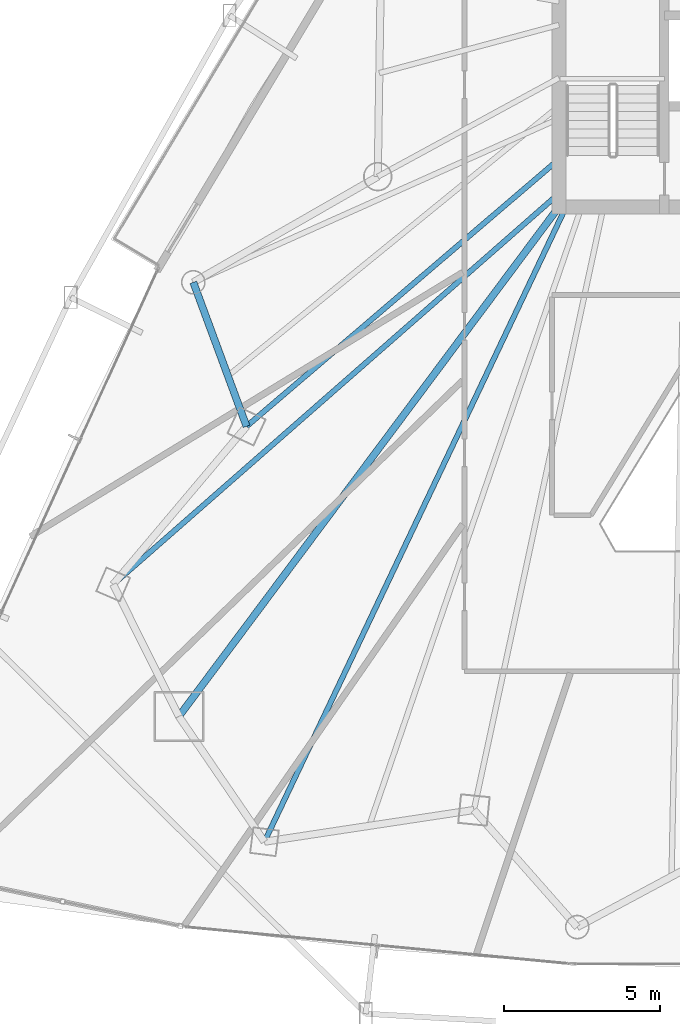
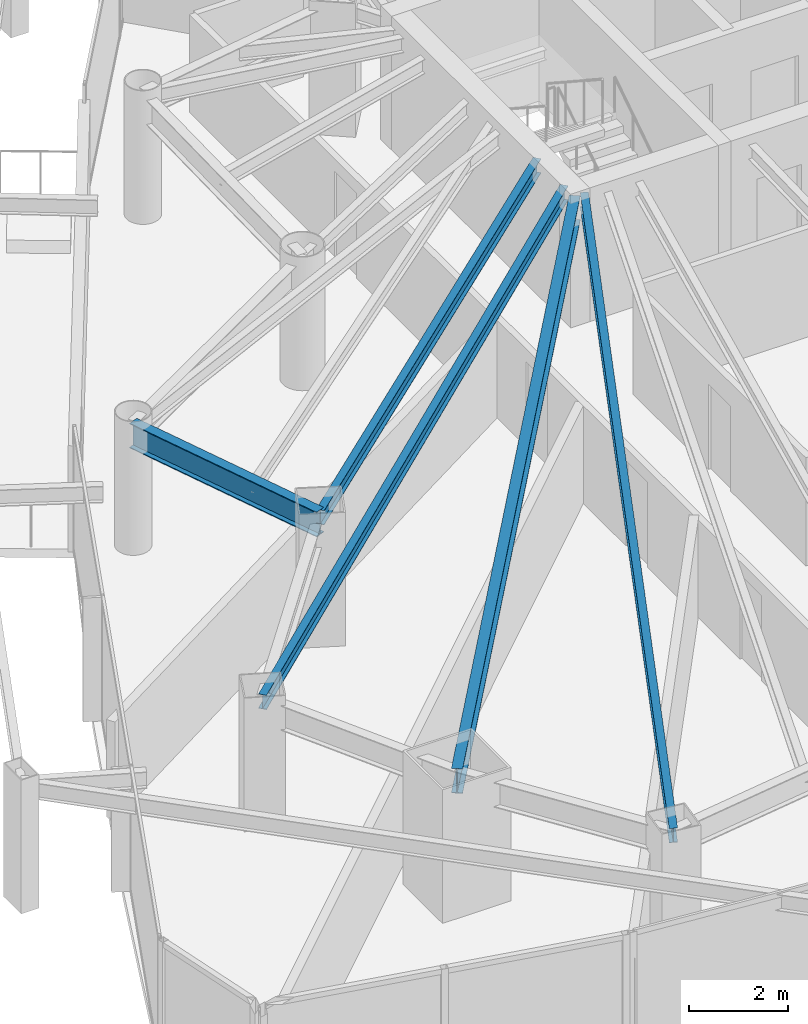
# One storey, part 9 of 33: 5 beams.
"""IFC4 building model written with IfcOpenShell, lengths in metres."""

import ifcopenshell
import ifcopenshell.guid

model = None  # the IFC model being written
_history = None  # IfcOwnerHistory: only IFC2X3 demands one
_inside = {}  # id of a spatial element -> (the spatial element, [elements in it])
_under = {}  # id of a project, library or spatial element -> (it, [spatial elements below it])
_declared = {}  # id of a project -> (the project, [libraries it declares])
_typed = {}  # id of a type object -> (the type object, [elements of that type])
_made_of = {}  # id of a material, layer set ... -> (it, [elements and type objects made of it])


def new_model(schema):
    """Start an empty IFC model of exactly this schema.

    Asked for "IFC4X3", IfcOpenShell would pick the latest addendum, in which some entities
    have other attributes; the version numbers below select the first issue.
    IFC2X3 requires an IfcOwnerHistory on every rooted entity: one is made here for all.
    """
    global model, _history
    if schema == "IFC4X3":
        model = ifcopenshell.file(schema_version=(4, 3, 0, 0))
    else:
        model = ifcopenshell.file(schema=schema)
    _inside.clear()
    _under.clear()
    _declared.clear()
    _typed.clear()
    _made_of.clear()
    _history = None
    if model.schema == "IFC2X3":
        org = make("IfcOrganization", Name="unknown")
        user = make(
            "IfcPersonAndOrganization",
            ThePerson=make("IfcPerson", FamilyName="unknown"),
            TheOrganization=org,
        )
        app = make(
            "IfcApplication",
            ApplicationDeveloper=org,
            Version="unknown",
            ApplicationFullName="unknown",
            ApplicationIdentifier="unknown",
        )
        _history = make(
            "IfcOwnerHistory",
            OwningUser=user,
            OwningApplication=app,
            ChangeAction="ADDED",
            CreationDate=0,
        )
    return model


def make(cls, **values):
    """One entity of the class cls with the attributes given. An attribute that is None is left unset."""
    return model.create_entity(
        cls, **{name: value for name, value in values.items() if value is not None}
    )


def rooted(cls, **values):
    """An entity with a GlobalId (a new one), such as an element, a storey or a relation."""
    return make(cls, GlobalId=ifcopenshell.guid.new(), OwnerHistory=_history, **values)


def si_unit(unit_type, name, prefix=None):
    """IfcSIUnit, for example si_unit("LENGTHUNIT", "METRE", prefix="MILLI")."""
    return make("IfcSIUnit", UnitType=unit_type, Prefix=prefix, Name=name)


def assignment(units):
    """IfcUnitAssignment: the units of a project."""
    return None if units is None else make("IfcUnitAssignment", Units=units)


def point(xyz):
    """IfcCartesianPoint."""
    return None if xyz is None else make("IfcCartesianPoint", Coordinates=xyz)


def direction(xyz):
    """IfcDirection."""
    return None if xyz is None else make("IfcDirection", DirectionRatios=xyz)


def frame(location, z_axis=None, x_axis=None):
    """IfcAxis2Placement3D, a coordinate frame: its origin and axes. An axis left out is left unset."""
    return make(
        "IfcAxis2Placement3D",
        Location=point(location),
        Axis=direction(z_axis),
        RefDirection=direction(x_axis),
    )


def frame_2d(location, x_axis=None):
    """IfcAxis2Placement2D, a coordinate frame in the plane: its origin and x axis."""
    return make(
        "IfcAxis2Placement2D", Location=point(location), RefDirection=direction(x_axis)
    )


def origin():
    """The frame at (0, 0, 0) with its axes left unset."""
    return frame((0.0, 0.0, 0.0))


def origin_2d():
    """The frame at (0, 0) in the plane with its x axis left unset."""
    return frame_2d((0.0, 0.0))


def place(relative_to, where):
    """IfcLocalPlacement: puts the frame where relative to a parent placement (None: the world)."""
    return make(
        "IfcLocalPlacement", PlacementRelTo=relative_to, RelativePlacement=where
    )


def context(
    kind, dimensions, precision=None, world=None, true_north=None, identifier=None
):
    """IfcGeometricRepresentationContext, for example the 3D "Model" context."""
    return make(
        "IfcGeometricRepresentationContext",
        ContextIdentifier=identifier,
        ContextType=kind,
        CoordinateSpaceDimension=dimensions,
        Precision=precision,
        WorldCoordinateSystem=world,
        TrueNorth=true_north,
    )


def subcontext(parent, identifier, kind, view, scale=None):
    """IfcGeometricRepresentationSubContext, for example "Body" below "Model"."""
    return make(
        "IfcGeometricRepresentationSubContext",
        ContextIdentifier=identifier,
        ContextType=kind,
        ParentContext=parent,
        TargetScale=scale,
        TargetView=view,
    )


def project(units=None, contexts=None):
    """IfcProject with its units and contexts."""
    return rooted(
        "IfcProject",
        Name="project",
        RepresentationContexts=contexts,
        UnitsInContext=assignment(units),
    )


def spatial(cls, under=None, at=None, **own):
    """A site, building, storey or space (cls), placed at a placement, below another one or the project."""
    s = rooted(cls, ObjectPlacement=at, **own)
    if under is not None:
        _under.setdefault(under.id(), (under, []))[1].append(s)
    return s


def profile(cls, at=None, kind="AREA", **sizes):
    """A parametric profile (cls). Its sizes go by their IFC names, for example OverallWidth=200.0."""
    return make(cls, ProfileType=kind, Position=at, **sizes)


def i_section(**sizes):
    """IfcIShapeProfileDef."""
    return profile("IfcIShapeProfileDef", **sizes)


def extrude(swept, where, along, depth):
    """IfcExtrudedAreaSolid: the profile swept, set in the frame where, extruded along a direction by depth."""
    return make(
        "IfcExtrudedAreaSolid",
        SweptArea=swept,
        Position=where,
        ExtrudedDirection=direction(along),
        Depth=depth,
    )


def shape(context_of_items, identifier, shape_type, items):
    """IfcShapeRepresentation: the items that make up one representation, for example the "Body"."""
    return make(
        "IfcShapeRepresentation",
        ContextOfItems=context_of_items,
        RepresentationIdentifier=identifier,
        RepresentationType=shape_type,
        Items=items,
    )


def material(Name=None, Category=None):
    """IfcMaterial."""
    return make("IfcMaterial", Name=Name, Category=Category)


def material_profile(
    of_material, cross_section, Name=None, Category=None, Priority=None
):
    """IfcMaterialProfile: a cross section and its material."""
    return make(
        "IfcMaterialProfile",
        Name=Name,
        Material=of_material,
        Profile=cross_section,
        Priority=Priority,
        Category=Category,
    )


def profile_set(profiles, Name=None, composite=None):
    """IfcMaterialProfileSet."""
    return make(
        "IfcMaterialProfileSet",
        Name=Name,
        MaterialProfiles=profiles,
        CompositeProfile=composite,
    )


def made_of(thing, what):
    """Note that an element or type object is made of a material, layer set ...; save() writes the relation."""
    if what is not None:
        _made_of.setdefault(what.id(), (what, []))[1].append(thing)
    return thing


def type_object(cls, material=None, **own):
    """A type object (cls), such as IfcWallType, which elements share."""
    return made_of(rooted(cls, **own), material)


def element(
    cls,
    number,
    at=None,
    inside=None,
    cuts=None,
    type_object=None,
    material=None,
    context=None,
    identifier="Body",
    shape_type=None,
    held_by="IfcProductDefinitionShape",
    body=None,
    shapes=None,
    **own,
):
    """One element of the class cls, such as IfcWall. Its Tag is "e" and its number.

    at: its placement. inside: the storey or other place that contains it. cuts: it is an
    opening in that element (IfcRelVoidsElement). A single representation is given by context,
    identifier, shape_type and body (its items); several are given by shapes. held_by: the class
    of the entity that holds the representations. save() writes the other relations.
    """
    e = rooted(cls, Tag="e%d" % number, ObjectPlacement=at, **own)
    if body is not None:
        shapes = [shape(context, identifier, shape_type, body)]
    if shapes is not None:
        e.Representation = make(held_by, Representations=shapes)
    if inside is not None:
        _inside.setdefault(inside.id(), (inside, []))[1].append(e)
    if cuts is not None:
        rooted(
            "IfcRelVoidsElement", RelatingBuildingElement=cuts, RelatedOpeningElement=e
        )
    if type_object is not None:
        _typed.setdefault(type_object.id(), (type_object, []))[1].append(e)
    return made_of(e, material)


def aggregate(whole, parts):
    """IfcRelAggregates: a whole, such as a stair, and the parts it consists of."""
    return rooted("IfcRelAggregates", RelatingObject=whole, RelatedObjects=parts)


def save(model, path):
    """Write the relations noted so far, then the file.

    IfcRelAggregates (storeys below a building ...), IfcRelContainedInSpatialStructure (elements
    in a storey), IfcRelDefinesByType, IfcRelAssociatesMaterial and IfcRelDeclares: one each for
    every whole, place, type object, material and project.
    """
    for whole, parts in _under.values():
        aggregate(whole, parts)
    for where, things in _inside.values():
        rooted(
            "IfcRelContainedInSpatialStructure",
            RelatedElements=things,
            RelatingStructure=where,
        )
    for kind, things in _typed.values():
        rooted("IfcRelDefinesByType", RelatedObjects=things, RelatingType=kind)
    for what, things in _made_of.values():
        rooted("IfcRelAssociatesMaterial", RelatedObjects=things, RelatingMaterial=what)
    for by, libraries in _declared.values():
        rooted("IfcRelDeclares", RelatingContext=by, RelatedDefinitions=libraries)
    model.write(path)


model = new_model("IFC4")

# Units and contexts
model_context = context("Model", 3, precision=1e-05, world=origin(), true_north=direction((0.0, 1.0)))
body_context = subcontext(model_context, "Body", "Model", "MODEL_VIEW")
ifc_project = project(units=[si_unit("LENGTHUNIT", "METRE"), si_unit("AREAUNIT", "SQUARE_METRE"), si_unit("VOLUMEUNIT", "CUBIC_METRE"), si_unit("PLANEANGLEUNIT", "RADIAN"), si_unit("MASSUNIT", "GRAM", prefix="KILO")], contexts=[model_context])

# Site, building, storey
site_placement = place(None, origin())
site = spatial("IfcSite", under=ifc_project, at=site_placement, CompositionType="ELEMENT")
building_placement = place(site_placement, origin())
building = spatial("IfcBuilding", under=site, at=building_placement, Name="Orvanel Arch Residences", CompositionType="ELEMENT")
storey_placement = place(building_placement, frame((0.0, 0.0, 90.64990234375)))
storey = spatial("IfcBuildingStorey", under=building, at=storey_placement, Name="L25", CompositionType="ELEMENT", Elevation=90.64990234375)

# Beams
ifc_material = material(Name="Structural steel AS/NZS 3679.1 Grade 300 (300 MPa)", Category="steel")
ifc_material_profile_1 = material_profile(ifc_material, i_section(OverallWidth=0.22900390625, OverallDepth=0.612060546875, WebThickness=0.011962890625, FlangeThickness=0.01953125, at=origin_2d()), Name="610UB125")
ifc_profile_set_1 = profile_set([ifc_material_profile_1], Name="Structural steel AS/NZS 3679.1 Grade 300 (300 MPa)")
beam_type_1 = type_object("IfcBeamType", Name="BG-610UB", PredefinedType="BEAM", material=ifc_profile_set_1)
beam_1_placement = place(storey_placement, frame((26.375, 26.675048828125, 2.754150390625), z_axis=(-0.597893733742, -0.801575375839, 0.0), x_axis=(0.801575375839, -0.597893733742, 0.0)))
element("IfcBeam", 1, at=beam_1_placement, inside=storey, type_object=beam_type_1, Name="L25 South-West Radial Girder", PredefinedType="BEAM", context=body_context, shape_type="SweptSolid", body=[
    extrude(i_section(OverallWidth=0.22900390625, OverallDepth=0.612060546875, WebThickness=0.011962890625, FlangeThickness=0.01953125, at=origin_2d()), origin(), (0.0, 0.0, 1.0), 20.36474609375),
])
ifc_material_profile_2 = material_profile(ifc_material, i_section(OverallWidth=0.1708984375, OverallDepth=0.35595703125, WebThickness=0.00732421875, FlangeThickness=0.011474609375, at=origin_2d()), Name="360UB50.7")
ifc_profile_set_2 = profile_set([ifc_material_profile_2], Name="Structural steel AS/NZS 3679.1 Grade 300 (300 MPa)")
beam_type_2 = type_object("IfcBeamType", Name="BJ-360UB", PredefinedType="JOIST", material=ifc_profile_set_2)
beam_2_placement = place(storey_placement, frame((26.375, 28.199951171875, 2.882080078125), z_axis=(-0.760024297953, -0.649894658018, 0.0), x_axis=(0.649894658018, -0.760024297953, 0.0)))
element("IfcBeam", 2, at=beam_2_placement, inside=storey, type_object=beam_type_2, Name="L25 W Wing Floor Joist", PredefinedType="JOIST", context=body_context, shape_type="SweptSolid", body=[
    extrude(i_section(OverallWidth=0.1708984375, OverallDepth=0.35595703125, WebThickness=0.00732421875, FlangeThickness=0.011474609375, at=origin_2d()), origin(), (0.0, 0.0, 1.0), 13.16796875),
])
beam_3_placement = place(storey_placement, frame((26.375, 27.10009765625, 2.882080078125), z_axis=(-0.751924114057, -0.659249669472, 0.0), x_axis=(0.659249669472, -0.751924114057, 0.0)))
element("IfcBeam", 3, at=beam_3_placement, inside=storey, type_object=beam_type_2, Name="L25 MW Wing Floor Joist", PredefinedType="JOIST", context=body_context, shape_type="SweptSolid", body=[
    extrude(i_section(OverallWidth=0.1708984375, OverallDepth=0.35595703125, WebThickness=0.00732421875, FlangeThickness=0.011474609375, at=origin_2d()), origin(), (0.0, 0.0, 1.0), 18.9912109375),
])
beam_4_placement = place(storey_placement, frame((26.60009765625, 26.675048828125, 2.882080078125), z_axis=(-0.429042657795, -0.903284228686, 0.0), x_axis=(0.903284228686, -0.429042657795, 0.0)))
element("IfcBeam", 4, at=beam_4_placement, inside=storey, type_object=beam_type_2, Name="L25 MSW Wing Floor Joist", PredefinedType="JOIST", context=body_context, shape_type="SweptSolid", body=[
    extrude(i_section(OverallWidth=0.1708984375, OverallDepth=0.35595703125, WebThickness=0.00732421875, FlangeThickness=0.011474609375, at=origin_2d()), origin(), (0.0, 0.0, 1.0), 22.513427734375),
])
ifc_material_profile_3 = material_profile(ifc_material, i_section(OverallWidth=0.22900390625, OverallDepth=0.612060546875, WebThickness=0.011962890625, FlangeThickness=0.01953125, at=origin_2d()), Name="610UB125")
ifc_profile_set_3 = profile_set([ifc_material_profile_3], Name="Structural steel AS/NZS 3679.1 Grade 300 (300 MPa)")
beam_type_3 = type_object("IfcBeamType", Name="SP-610UB", PredefinedType="SPANDREL", material=ifc_profile_set_3)
beam_5_placement = place(storey_placement, frame((14.662109375, 24.256103515625, 2.754150390625), z_axis=(0.346588434017, -0.938017301229, 0.0), x_axis=(0.938017301229, 0.346588434017, 0.0)))
element("IfcBeam", 5, at=beam_5_placement, inside=storey, type_object=beam_type_3, Name="L25 Perimeter Spandrel Beam 22", PredefinedType="SPANDREL", context=body_context, shape_type="SweptSolid", body=[
    extrude(i_section(OverallWidth=0.22900390625, OverallDepth=0.612060546875, WebThickness=0.011962890625, FlangeThickness=0.01953125, at=origin_2d()), origin(), (0.0, 0.0, 1.0), 4.9189453125),
])

save(model, "model.ifc")
